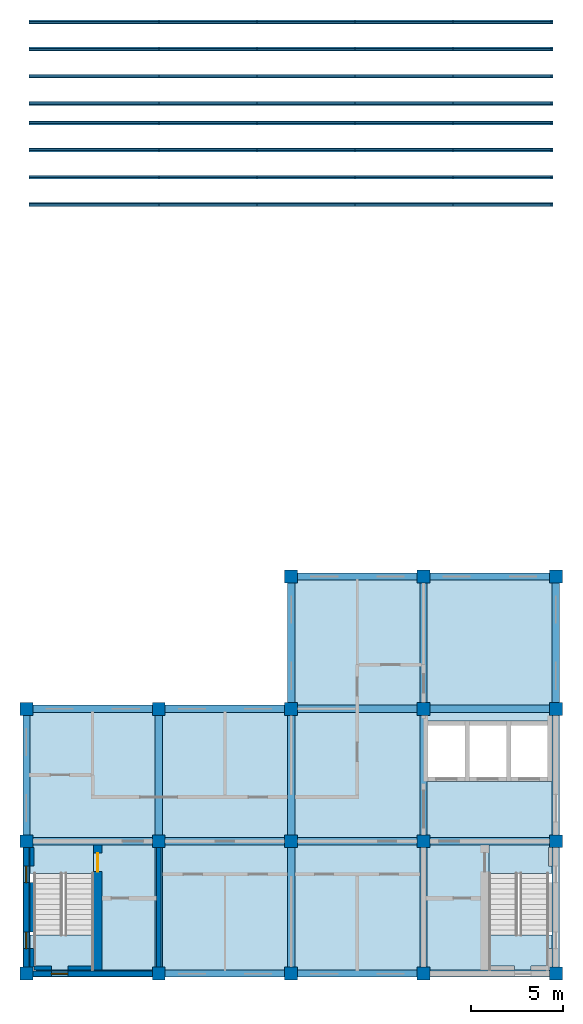
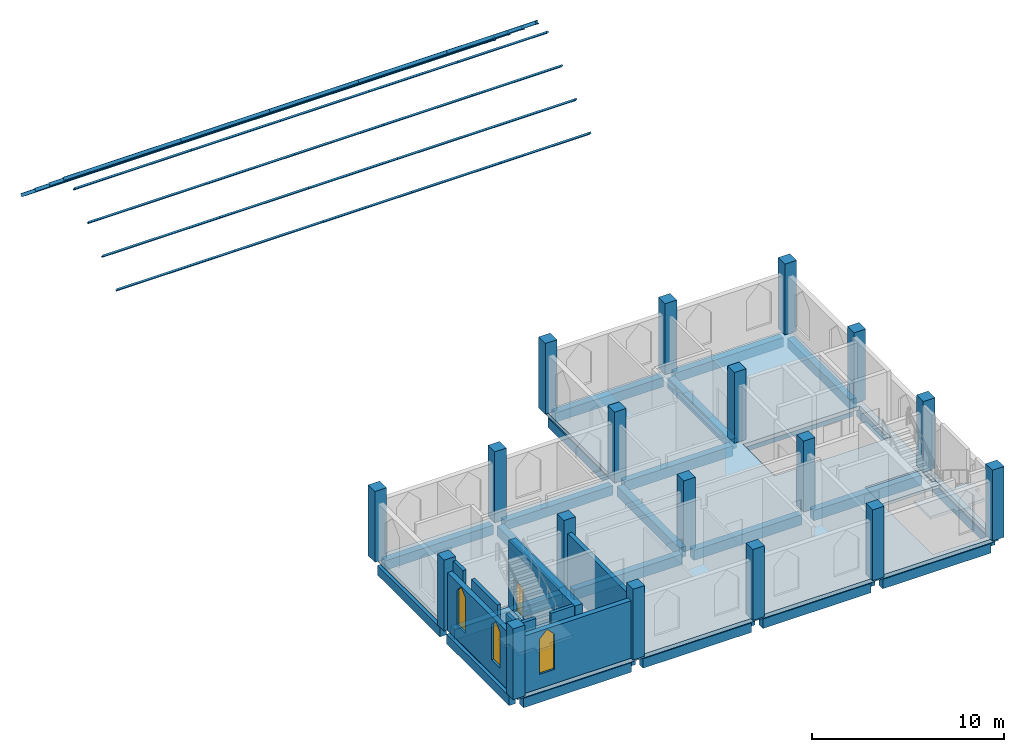
# One storey, part 1 of 5: 48 members, 27 beams, 18 columns, 9 walls, 5 slabs, 3 windows, 1 door, 4 openings, 2 elements without a shape of their own.
"""IFC4 building model written with IfcOpenShell, lengths in metres."""

from ifc_helpers import new_model, si_unit, direction, frame, frame_2d, origin, origin_2d, place, context, subcontext, project, spatial, polyline, rectangle, i_section, outline, extrude, material, layer, layer_set, material_profile, profile_set, type_object, element, fill, aggregate, save


model = new_model("IFC4")

# Units and contexts
model_context = context("Model", 3, precision=1e-05, world=origin(), true_north=direction((0.0, 1.0)))
body_context = subcontext(model_context, "Body", "Model", "MODEL_VIEW")
ifc_project = project(units=[si_unit("LENGTHUNIT", "METRE"), si_unit("AREAUNIT", "SQUARE_METRE"), si_unit("VOLUMEUNIT", "CUBIC_METRE"), si_unit("PLANEANGLEUNIT", "RADIAN"), si_unit("MASSUNIT", "GRAM", prefix="KILO")], contexts=[model_context])

# Site, building, storey
site_placement = place(None, origin())
site = spatial("IfcSite", under=ifc_project, at=site_placement, CompositionType="ELEMENT")
building_placement = place(site_placement, origin())
building = spatial("IfcBuilding", under=site, at=building_placement, Name="Silangan Lancet Faculty of Sciences", CompositionType="ELEMENT")
storey_placement = place(building_placement, frame((0.0, 0.0, 63.300048828125)))
storey = spatial("IfcBuildingStorey", under=building, at=storey_placement, Name="L13", CompositionType="ELEMENT", Elevation=63.300048828125)

# Columns
ifc_material_1 = material(Name="Concrete C40/50", Category="concrete")
ifc_material_profile_1 = material_profile(ifc_material_1, rectangle(XDim=0.699951171875, YDim=0.699951171875, at=origin_2d()), Name="RC 700x700")
ifc_profile_set_1 = profile_set([ifc_material_profile_1], Name="Concrete C40/50")
column_type = type_object("IfcColumnType", Name="COLUMN RC 700x700", PredefinedType="COLUMN", material=ifc_profile_set_1)
for number, where, z_axis, x_axis, name in (
    (1, (0.0, 0.0, 0.0), (0.0, 0.0, 1.0), (1.0, 0.0, 0.0), "COL-L13-1A"),
    (2, (0.0, 7.199951171875, 0.0), (0.0, 0.0, 1.0), (1.0, 0.0, 0.0), "COL-L13-1B"),
    (3, (0.0, 14.39990234375, 0.0), (0.0, 0.0, 1.0), (1.0, 0.0, 0.0), "COL-L13-1C"),
    (4, (7.199951171875, 0.0, 0.0), (0.0, 0.0, 1.0), (1.0, 0.0, 0.0), "COL-L13-2A"),
    (5, (7.199951171875, 7.199951171875, 0.0), (0.0, 0.0, 1.0), (1.0, 0.0, 0.0), "COL-L13-2B"),
    (6, (7.199951171875, 14.39990234375, 0.0), (0.0, 0.0, 1.0), (1.0, 0.0, 0.0), "COL-L13-2C"),
    (7, (14.39990234375, 0.0, 0.0), (0.0, 0.0, 1.0), (1.0, 0.0, 0.0), "COL-L13-3A"),
    (8, (14.39990234375, 7.199951171875, 0.0), (0.0, 0.0, 1.0), (1.0, 0.0, 0.0), "COL-L13-3B"),
    (9, (14.39990234375, 14.39990234375, 0.0), (0.0, 0.0, 1.0), (1.0, 0.0, 0.0), "COL-L13-3C"),
    (10, (14.39990234375, 21.60009765625, 0.0), (0.0, 0.0, 1.0), (1.0, 0.0, 0.0), "COL-L13-3D"),
    (11, (21.60009765625, 0.0, 0.0), (0.0, 0.0, 1.0), (1.0, 0.0, 0.0), "COL-L13-4A"),
    (12, (21.60009765625, 7.199951171875, 0.0), (0.0, 0.0, 1.0), (1.0, 0.0, 0.0), "COL-L13-4B"),
    (13, (21.60009765625, 14.39990234375, 0.0), (0.0, 0.0, 1.0), (1.0, 0.0, 0.0), "COL-L13-4C"),
    (14, (21.60009765625, 21.60009765625, 0.0), (0.0, 0.0, 1.0), (1.0, 0.0, 0.0), "COL-L13-4D"),
    (15, (28.800048828125, 0.0, 0.0), (0.0, 0.0, 1.0), (1.0, 0.0, 0.0), "COL-L13-5A"),
    (16, (28.800048828125, 7.199951171875, 0.0), (0.0, 0.0, 1.0), (1.0, 0.0, 0.0), "COL-L13-5B"),
    (17, (28.800048828125, 14.39990234375, 0.0), (0.0, 0.0, 1.0), (1.0, 0.0, 0.0), "COL-L13-5C"),
    (18, (28.800048828125, 21.60009765625, 0.0), (0.0, 0.0, 1.0), (1.0, 0.0, 0.0), "COL-L13-5D"),
):
    element("IfcColumn", number, at=place(storey_placement, frame(where, z_axis=z_axis, x_axis=x_axis)), inside=storey, type_object=column_type, Name=name, PredefinedType="COLUMN", context=body_context, shape_type="SweptSolid", body=[
        extrude(rectangle(XDim=0.699951171875, YDim=0.699951171875, at=origin_2d()), origin(), (0.0, 0.0, 1.0), 4.5),
    ])

# Beams
ifc_material_2 = material(Name="Concrete C40/50", Category="concrete")
ifc_material_profile_2 = material_profile(ifc_material_2, rectangle(XDim=0.39990234375, YDim=0.60009765625, at=origin_2d()), Name="RC 400x600")
ifc_profile_set_2 = profile_set([ifc_material_profile_2], Name="Concrete C40/50")
beam_type_1 = type_object("IfcBeamType", Name="BEAM RC 400x600", PredefinedType="BEAM", material=ifc_profile_set_2)
for number, where, z_axis, x_axis, name in (
    (19, (0.35009765625, 0.0, -0.550048828125), (1.0, 0.0, 0.0), (0.0, 1.0, 0.0), "BM-L13-1A-2A"),
    (20, (7.550048828125, 0.0, -0.550048828125), (1.0, 0.0, 0.0), (0.0, 1.0, 0.0), "BM-L13-2A-3A"),
    (21, (14.75, 0.0, -0.550048828125), (1.0, 0.0, 0.0), (0.0, 1.0, 0.0), "BM-L13-3A-4A"),
    (22, (21.949951171875, 0.0, -0.550048828125), (1.0, 0.0, 0.0), (0.0, 1.0, 0.0), "BM-L13-4A-5A"),
    (23, (0.35009765625, 14.39990234375, -0.550048828125), (1.0, 0.0, 0.0), (0.0, 1.0, 0.0), "BM-L13-1C-2C"),
    (24, (7.550048828125, 14.39990234375, -0.550048828125), (1.0, 0.0, 0.0), (0.0, 1.0, 0.0), "BM-L13-2C-3C"),
    (25, (14.75, 21.60009765625, -0.550048828125), (1.0, 0.0, 0.0), (0.0, 1.0, 0.0), "BM-L13-3D-4D"),
    (26, (21.949951171875, 21.60009765625, -0.550048828125), (1.0, 0.0, 0.0), (0.0, 1.0, 0.0), "BM-L13-4D-5D"),
    (27, (0.0, 0.35009765625, -0.550048828125), (0.0, 1.0, 0.0), (-1.0, 0.0, 0.0), "BM-L13-1A-1B"),
    (28, (0.0, 7.550048828125, -0.550048828125), (0.0, 1.0, 0.0), (-1.0, 0.0, 0.0), "BM-L13-1B-1C"),
    (29, (14.39990234375, 14.75, -0.550048828125), (0.0, 1.0, 0.0), (-1.0, 0.0, 0.0), "BM-L13-3C-3D"),
    (30, (28.800048828125, 0.35009765625, -0.550048828125), (0.0, 1.0, 0.0), (-1.0, 0.0, 0.0), "BM-L13-5A-5B"),
    (31, (28.800048828125, 7.550048828125, -0.550048828125), (0.0, 1.0, 0.0), (-1.0, 0.0, 0.0), "BM-L13-5B-5C"),
    (32, (28.800048828125, 14.75, -0.550048828125), (0.0, 1.0, 0.0), (-1.0, 0.0, 0.0), "BM-L13-5C-5D"),
):
    element("IfcBeam", number, at=place(storey_placement, frame(where, z_axis=z_axis, x_axis=x_axis)), inside=storey, type_object=beam_type_1, Name=name, PredefinedType="BEAM", context=body_context, shape_type="SweptSolid", body=[
        extrude(rectangle(XDim=0.39990234375, YDim=0.60009765625, at=origin_2d()), origin(), (0.0, 0.0, 1.0), 6.5),
    ])
ifc_material_3 = material(Name="Concrete C40/50", Category="concrete")
ifc_material_profile_3 = material_profile(ifc_material_3, rectangle(XDim=0.39990234375, YDim=0.64990234375, at=origin_2d()), Name="RC 400x650")
ifc_profile_set_3 = profile_set([ifc_material_profile_3], Name="Concrete C40/50")
beam_type_2 = type_object("IfcBeamType", Name="BEAM RC 400x650", PredefinedType="BEAM", material=ifc_profile_set_3)
for number, where, z_axis, x_axis, name in (
    (33, (0.35009765625, 7.199951171875, -0.574951171875), (1.0, 0.0, 0.0), (0.0, 1.0, 0.0), "BM-L13-1B-2B"),
    (34, (7.550048828125, 7.199951171875, -0.574951171875), (1.0, 0.0, 0.0), (0.0, 1.0, 0.0), "BM-L13-2B-3B"),
    (35, (14.75, 7.199951171875, -0.574951171875), (1.0, 0.0, 0.0), (0.0, 1.0, 0.0), "BM-L13-3B-4B"),
    (36, (21.949951171875, 7.199951171875, -0.574951171875), (1.0, 0.0, 0.0), (0.0, 1.0, 0.0), "BM-L13-4B-5B"),
    (37, (14.75, 14.39990234375, -0.574951171875), (1.0, 0.0, 0.0), (0.0, 1.0, 0.0), "BM-L13-3C-4C"),
    (38, (21.949951171875, 14.39990234375, -0.574951171875), (1.0, 0.0, 0.0), (0.0, 1.0, 0.0), "BM-L13-4C-5C"),
    (39, (7.199951171875, 0.35009765625, -0.574951171875), (0.0, 1.0, 0.0), (-1.0, 0.0, 0.0), "BM-L13-2A-2B"),
    (40, (7.199951171875, 7.550048828125, -0.574951171875), (0.0, 1.0, 0.0), (-1.0, 0.0, 0.0), "BM-L13-2B-2C"),
    (41, (14.39990234375, 0.35009765625, -0.574951171875), (0.0, 1.0, 0.0), (-1.0, 0.0, 0.0), "BM-L13-3A-3B"),
    (42, (14.39990234375, 7.550048828125, -0.574951171875), (0.0, 1.0, 0.0), (-1.0, 0.0, 0.0), "BM-L13-3B-3C"),
    (43, (21.60009765625, 0.35009765625, -0.574951171875), (0.0, 1.0, 0.0), (-1.0, 0.0, 0.0), "BM-L13-4A-4B"),
    (44, (21.60009765625, 7.550048828125, -0.574951171875), (0.0, 1.0, 0.0), (-1.0, 0.0, 0.0), "BM-L13-4B-4C"),
    (45, (21.60009765625, 14.75, -0.574951171875), (0.0, 1.0, 0.0), (-1.0, 0.0, 0.0), "BM-L13-4C-4D"),
):
    element("IfcBeam", number, at=place(storey_placement, frame(where, z_axis=z_axis, x_axis=x_axis)), inside=storey, type_object=beam_type_2, Name=name, PredefinedType="BEAM", context=body_context, shape_type="SweptSolid", body=[
        extrude(rectangle(XDim=0.39990234375, YDim=0.64990234375, at=origin_2d()), origin(), (0.0, 0.0, 1.0), 6.5),
    ])

# Members
ifc_material_4 = material(Name="Steel SS400", Category="steel")
ifc_material_profile_4 = material_profile(ifc_material_4, i_section(OverallWidth=0.10009765625, OverallDepth=0.199951171875, WebThickness=0.005615234375, FlangeThickness=0.008056640625, FilletRadius=0.008056640625, at=origin_2d()), Name="H 200x100x5.5x8")
ifc_profile_set_4 = profile_set([ifc_material_profile_4], Name="Steel SS400")
member_type = type_object("IfcMemberType", Name="Sheeting purlin H 200x100x5.5x8", PredefinedType="PURLIN", material=ifc_profile_set_4)
for number, where, z_axis, x_axis, name in (
    (46, (0.14990234375, 41.834716796875, 0.283935546875), (1.0, 0.0, 0.0), (0.0, 0.765704867842, 0.64319208279), "Gable purlin 1S6"),
    (47, (0.14990234375, 43.31396484375, 1.526611328125), (1.0, 0.0, 0.0), (0.0, 0.765704867842, 0.64319208279), "Gable purlin 1S7"),
    (48, (0.14990234375, 44.793212890625, 2.769287109375), (1.0, 0.0, 0.0), (0.0, 0.765704867842, 0.64319208279), "Gable purlin 1S8"),
    (49, (0.14990234375, 46.2724609375, 4.011962890625), (1.0, 0.0, 0.0), (0.0, 0.765704867842, 0.64319208279), "Gable purlin 1S9"),
    (50, (0.14990234375, 51.765380859375, 0.283935546875), (1.0, 0.0, 0.0), (0.0, 0.765704867842, -0.64319208279), "Gable purlin 1N6"),
    (51, (0.14990234375, 50.2861328125, 1.526611328125), (1.0, 0.0, 0.0), (0.0, 0.765704867842, -0.64319208279), "Gable purlin 1N7"),
    (52, (0.14990234375, 48.806884765625, 2.769287109375), (1.0, 0.0, 0.0), (0.0, 0.765704867842, -0.64319208279), "Gable purlin 1N8"),
    (53, (0.14990234375, 47.32763671875, 4.011962890625), (1.0, 0.0, 0.0), (0.0, 0.765704867842, -0.64319208279), "Gable purlin 1N9"),
):
    element("IfcMember", number, at=place(storey_placement, frame(where, z_axis=z_axis, x_axis=x_axis)), inside=storey, type_object=member_type, Name=name, PredefinedType="PURLIN", context=body_context, shape_type="SweptSolid", body=[
        extrude(i_section(OverallWidth=0.10009765625, OverallDepth=0.199951171875, WebThickness=0.005615234375, FlangeThickness=0.008056640625, FilletRadius=0.008056640625, at=origin_2d()), origin(), (0.0, 0.0, 1.0), 7.050048828125),
    ])
for number, where, z_axis, x_axis, name in (
    (54, (7.199951171875, 41.834716796875, 0.283935546875), (1.0, 0.0, 0.0), (0.0, 0.765704867842, 0.64319208279), "Gable purlin 2S6"),
    (55, (7.199951171875, 43.31396484375, 1.526611328125), (1.0, 0.0, 0.0), (0.0, 0.765704867842, 0.64319208279), "Gable purlin 2S7"),
    (56, (7.199951171875, 44.793212890625, 2.769287109375), (1.0, 0.0, 0.0), (0.0, 0.765704867842, 0.64319208279), "Gable purlin 2S8"),
    (57, (7.199951171875, 46.2724609375, 4.011962890625), (1.0, 0.0, 0.0), (0.0, 0.765704867842, 0.64319208279), "Gable purlin 2S9"),
    (58, (7.199951171875, 51.765380859375, 0.283935546875), (1.0, 0.0, 0.0), (0.0, 0.765704867842, -0.64319208279), "Gable purlin 2N6"),
    (59, (7.199951171875, 50.2861328125, 1.526611328125), (1.0, 0.0, 0.0), (0.0, 0.765704867842, -0.64319208279), "Gable purlin 2N7"),
    (60, (7.199951171875, 48.806884765625, 2.769287109375), (1.0, 0.0, 0.0), (0.0, 0.765704867842, -0.64319208279), "Gable purlin 2N8"),
    (61, (7.199951171875, 47.32763671875, 4.011962890625), (1.0, 0.0, 0.0), (0.0, 0.765704867842, -0.64319208279), "Gable purlin 2N9"),
    (62, (12.53125, 41.834716796875, 0.283935546875), (1.0, 0.0, 0.0), (0.0, 0.765704867842, 0.64319208279), "Gable purlin 3S6"),
    (63, (12.53125, 43.31396484375, 1.526611328125), (1.0, 0.0, 0.0), (0.0, 0.765704867842, 0.64319208279), "Gable purlin 3S7"),
    (64, (12.53125, 44.793212890625, 2.769287109375), (1.0, 0.0, 0.0), (0.0, 0.765704867842, 0.64319208279), "Gable purlin 3S8"),
    (65, (12.53125, 46.2724609375, 4.011962890625), (1.0, 0.0, 0.0), (0.0, 0.765704867842, 0.64319208279), "Gable purlin 3S9"),
    (66, (12.53125, 51.765380859375, 0.283935546875), (1.0, 0.0, 0.0), (0.0, 0.765704867842, -0.64319208279), "Gable purlin 3N6"),
    (67, (12.53125, 50.2861328125, 1.526611328125), (1.0, 0.0, 0.0), (0.0, 0.765704867842, -0.64319208279), "Gable purlin 3N7"),
    (68, (12.53125, 48.806884765625, 2.769287109375), (1.0, 0.0, 0.0), (0.0, 0.765704867842, -0.64319208279), "Gable purlin 3N8"),
    (69, (12.53125, 47.32763671875, 4.011962890625), (1.0, 0.0, 0.0), (0.0, 0.765704867842, -0.64319208279), "Gable purlin 3N9"),
    (70, (17.862548828125, 41.834716796875, 0.283935546875), (1.0, 0.0, 0.0), (0.0, 0.765704867842, 0.64319208279), "Gable purlin 4S6"),
    (71, (17.862548828125, 43.31396484375, 1.526611328125), (1.0, 0.0, 0.0), (0.0, 0.765704867842, 0.64319208279), "Gable purlin 4S7"),
    (72, (17.862548828125, 44.793212890625, 2.769287109375), (1.0, 0.0, 0.0), (0.0, 0.765704867842, 0.64319208279), "Gable purlin 4S8"),
    (73, (17.862548828125, 46.2724609375, 4.011962890625), (1.0, 0.0, 0.0), (0.0, 0.765704867842, 0.64319208279), "Gable purlin 4S9"),
    (74, (17.862548828125, 51.765380859375, 0.283935546875), (1.0, 0.0, 0.0), (0.0, 0.765704867842, -0.64319208279), "Gable purlin 4N6"),
    (75, (17.862548828125, 50.2861328125, 1.526611328125), (1.0, 0.0, 0.0), (0.0, 0.765704867842, -0.64319208279), "Gable purlin 4N7"),
    (76, (17.862548828125, 48.806884765625, 2.769287109375), (1.0, 0.0, 0.0), (0.0, 0.765704867842, -0.64319208279), "Gable purlin 4N8"),
    (77, (17.862548828125, 47.32763671875, 4.011962890625), (1.0, 0.0, 0.0), (0.0, 0.765704867842, -0.64319208279), "Gable purlin 4N9"),
):
    element("IfcMember", number, at=place(storey_placement, frame(where, z_axis=z_axis, x_axis=x_axis)), inside=storey, type_object=member_type, Name=name, PredefinedType="PURLIN", context=body_context, shape_type="SweptSolid", body=[
        extrude(i_section(OverallWidth=0.10009765625, OverallDepth=0.199951171875, WebThickness=0.005615234375, FlangeThickness=0.008056640625, FilletRadius=0.008056640625, at=origin_2d()), origin(), (0.0, 0.0, 1.0), 5.331298828125),
    ])
for number, where, z_axis, x_axis, name in (
    (78, (23.19384765625, 41.834716796875, 0.283935546875), (1.0, 0.0, 0.0), (0.0, 0.765704867842, 0.64319208279), "Gable purlin 5S6"),
    (79, (23.19384765625, 43.31396484375, 1.526611328125), (1.0, 0.0, 0.0), (0.0, 0.765704867842, 0.64319208279), "Gable purlin 5S7"),
    (80, (23.19384765625, 44.793212890625, 2.769287109375), (1.0, 0.0, 0.0), (0.0, 0.765704867842, 0.64319208279), "Gable purlin 5S8"),
    (81, (23.19384765625, 46.2724609375, 4.011962890625), (1.0, 0.0, 0.0), (0.0, 0.765704867842, 0.64319208279), "Gable purlin 5S9"),
    (82, (23.19384765625, 51.765380859375, 0.283935546875), (1.0, 0.0, 0.0), (0.0, 0.765704867842, -0.64319208279), "Gable purlin 5N6"),
    (83, (23.19384765625, 50.2861328125, 1.526611328125), (1.0, 0.0, 0.0), (0.0, 0.765704867842, -0.64319208279), "Gable purlin 5N7"),
    (84, (23.19384765625, 48.806884765625, 2.769287109375), (1.0, 0.0, 0.0), (0.0, 0.765704867842, -0.64319208279), "Gable purlin 5N8"),
    (85, (23.19384765625, 47.32763671875, 4.011962890625), (1.0, 0.0, 0.0), (0.0, 0.765704867842, -0.64319208279), "Gable purlin 5N9"),
):
    element("IfcMember", number, at=place(storey_placement, frame(where, z_axis=z_axis, x_axis=x_axis)), inside=storey, type_object=member_type, Name=name, PredefinedType="PURLIN", context=body_context, shape_type="SweptSolid", body=[
        extrude(i_section(OverallWidth=0.10009765625, OverallDepth=0.199951171875, WebThickness=0.005615234375, FlangeThickness=0.008056640625, FilletRadius=0.008056640625, at=origin_2d()), origin(), (0.0, 0.0, 1.0), 5.3310546875),
    ])
for number, where, z_axis, x_axis, name in (
    (86, (28.52490234375, 41.834716796875, 0.283935546875), (1.0, 0.0, 0.0), (0.0, 0.765704867842, 0.64319208279), "Gable purlin 6S6"),
    (87, (28.52490234375, 43.31396484375, 1.526611328125), (1.0, 0.0, 0.0), (0.0, 0.765704867842, 0.64319208279), "Gable purlin 6S7"),
    (88, (28.52490234375, 44.793212890625, 2.769287109375), (1.0, 0.0, 0.0), (0.0, 0.765704867842, 0.64319208279), "Gable purlin 6S8"),
    (89, (28.52490234375, 46.2724609375, 4.011962890625), (1.0, 0.0, 0.0), (0.0, 0.765704867842, 0.64319208279), "Gable purlin 6S9"),
    (90, (28.52490234375, 51.765380859375, 0.283935546875), (1.0, 0.0, 0.0), (0.0, 0.765704867842, -0.64319208279), "Gable purlin 6N6"),
    (91, (28.52490234375, 50.2861328125, 1.526611328125), (1.0, 0.0, 0.0), (0.0, 0.765704867842, -0.64319208279), "Gable purlin 6N7"),
    (92, (28.52490234375, 48.806884765625, 2.769287109375), (1.0, 0.0, 0.0), (0.0, 0.765704867842, -0.64319208279), "Gable purlin 6N8"),
    (93, (28.52490234375, 47.32763671875, 4.011962890625), (1.0, 0.0, 0.0), (0.0, 0.765704867842, -0.64319208279), "Gable purlin 6N9"),
):
    element("IfcMember", number, at=place(storey_placement, frame(where, z_axis=z_axis, x_axis=x_axis)), inside=storey, type_object=member_type, Name=name, PredefinedType="PURLIN", context=body_context, shape_type="SweptSolid", body=[
        extrude(i_section(OverallWidth=0.10009765625, OverallDepth=0.199951171875, WebThickness=0.005615234375, FlangeThickness=0.008056640625, FilletRadius=0.008056640625, at=origin_2d()), origin(), (0.0, 0.0, 1.0), 0.125),
    ])

# Slab
ifc_material_5 = material(Name="Concrete C35/45", Category="concrete")
ifc_layer_1 = layer(ifc_material_5, 0.25)
ifc_layer_set_1 = layer_set([ifc_layer_1], Name="Concrete C35/45")
slab_type_1 = type_object("IfcSlabType", Name="SLAB FLOOR 250", PredefinedType="FLOOR", material=ifc_layer_set_1)
slab_1_placement = place(storey_placement, frame((0.0, 0.0, -0.25)))
element("IfcSlab", 94, at=slab_1_placement, inside=storey, type_object=slab_type_1, Name="SLAB-L13-ST", PredefinedType="FLOOR", context=body_context, shape_type="SweptSolid", body=[
    extrude(outline(polyline([(0.0, 14.550048828125), (0.0, -0.14990234375), (28.949951171875, -0.14990234375), (28.949951171875, 21.60009765625), (14.25, 21.60009765625), (14.25, 14.550048828125), (0.0, 14.550048828125)]), holes=[polyline([(0.14990234375, 0.14990234375), (0.14990234375, 7.199951171875), (3.64990234375, 7.199951171875), (3.64990234375, 0.14990234375), (0.14990234375, 0.14990234375)]), polyline([(25.14990234375, 7.199951171875), (28.64990234375, 7.199951171875), (28.64990234375, 0.14990234375), (25.14990234375, 0.14990234375), (25.14990234375, 7.199951171875)]), polyline([(21.60009765625, 13.75), (28.60009765625, 13.75), (28.60009765625, 10.449951171875), (21.60009765625, 10.449951171875), (21.60009765625, 13.75)])]), origin(), (0.0, 0.0, 1.0), 0.25),
])

# Stair, slabs
ifc_material_6 = material(Name="Concrete C40/50", Category="concrete")
stair_type = type_object("IfcStairType", Name="TURRET STAIR 1550 TWO-FLIGHT", PredefinedType="HALF_TURN_STAIR", material=ifc_material_6)
stair_1_placement = place(storey_placement, origin())
stair_1 = element("IfcStair", 95, at=stair_1_placement, inside=storey, type_object=stair_type, Name="ST-A stair L13", PredefinedType="HALF_TURN_STAIR")
ifc_material_7 = material(Name="Concrete C40/50", Category="concrete")
ifc_layer_2 = layer(ifc_material_7, 0.179931640625)
ifc_layer_set_2 = layer_set([ifc_layer_2], Name="Concrete C40/50")
slab_type_2 = type_object("IfcSlabType", Name="TURRET STAIR LANDING RC 180", PredefinedType="LANDING", material=ifc_layer_set_2)
slab_2_placement = place(storey_placement, frame((0.0, 0.0, -0.179931640625)))
slab_2 = element("IfcSlab", 96, at=slab_2_placement, type_object=slab_type_2, Name="STR1 landing 1", PredefinedType="LANDING", context=body_context, shape_type="SweptSolid", body=[
    extrude(outline(polyline([(0.35009765625, 6.85009765625), (0.35009765625, 7.074951171875), (3.64990234375, 7.074951171875), (3.64990234375, 5.449951171875), (0.14990234375, 5.449951171875), (0.14990234375, 5.85009765625), (0.39990234375, 5.85009765625), (0.39990234375, 6.85009765625), (0.35009765625, 6.85009765625)])), origin(), (0.0, 0.0, 1.0), 0.179931640625),
])
slab_3_placement = place(storey_placement, frame((0.0, 0.0, 2.070068359375)))
slab_3 = element("IfcSlab", 97, at=slab_3_placement, type_object=slab_type_2, Name="STR1 landing 2", PredefinedType="LANDING", context=body_context, shape_type="SweptSolid", body=[
    extrude(outline(polyline([(1.35009765625, 0.14990234375), (1.35009765625, 0.39990234375), (0.39990234375, 0.39990234375), (0.39990234375, 1.35009765625), (0.14990234375, 1.35009765625), (0.14990234375, 2.090087890625), (3.64990234375, 2.090087890625), (3.64990234375, 0.39990234375), (2.25, 0.39990234375), (2.25, 0.14990234375), (1.35009765625, 0.14990234375)])), origin(), (0.0, 0.0, 1.0), 0.179931640625),
])
aggregate(stair_1, [slab_2, slab_3])

stair_2_placement = place(storey_placement, origin())
stair_2 = element("IfcStair", 98, at=stair_2_placement, inside=storey, type_object=stair_type, Name="ST-B stair L13", PredefinedType="HALF_TURN_STAIR")
slab_4_placement = place(storey_placement, frame((0.0, 0.0, -0.179931640625)))
slab_4 = element("IfcSlab", 99, at=slab_4_placement, type_object=slab_type_2, Name="STR2 landing 1", PredefinedType="LANDING", context=body_context, shape_type="SweptSolid", body=[
    extrude(outline(polyline([(28.39990234375, 6.85009765625), (28.39990234375, 5.85009765625), (28.64990234375, 5.85009765625), (28.64990234375, 5.449951171875), (25.14990234375, 5.449951171875), (25.14990234375, 7.074951171875), (28.449951171875, 7.074951171875), (28.449951171875, 6.85009765625), (28.39990234375, 6.85009765625)])), origin(), (0.0, 0.0, 1.0), 0.179931640625),
])
slab_5_placement = place(storey_placement, frame((0.0, 0.0, 2.070068359375)))
slab_5 = element("IfcSlab", 100, at=slab_5_placement, type_object=slab_type_2, Name="STR2 landing 2", PredefinedType="LANDING", context=body_context, shape_type="SweptSolid", body=[
    extrude(outline(polyline([(26.550048828125, 0.14990234375), (26.550048828125, 0.39990234375), (25.14990234375, 0.39990234375), (25.14990234375, 2.090087890625), (28.64990234375, 2.090087890625), (28.64990234375, 1.35009765625), (28.39990234375, 1.35009765625), (28.39990234375, 0.39990234375), (27.449951171875, 0.39990234375), (27.449951171875, 0.14990234375), (26.550048828125, 0.14990234375)])), origin(), (0.0, 0.0, 1.0), 0.179931640625),
])
aggregate(stair_2, [slab_4, slab_5])

# Wall, openings, windows
ifc_material_8 = material(Name="Concrete C40/50 precast", Category="concrete")
ifc_layer_3 = layer(ifc_material_8, 0.300048828125)
ifc_layer_set_3 = layer_set([ifc_layer_3], Name="Concrete C40/50 precast")
wall_type_1 = type_object("IfcWallType", Name="EW2 Turret enclosure wall", PredefinedType="STANDARD", material=ifc_layer_set_3)
wall_1_placement = place(storey_placement, frame((0.0, 0.35009765625, 0.0), z_axis=(0.0, 0.0, 1.0), x_axis=(0.0, 1.0, 0.0)))
wall_1 = element("IfcWall", 101, at=wall_1_placement, inside=storey, type_object=wall_type_1, Name="EW-L13-W-ST-U-00", PredefinedType="STANDARD", context=body_context, shape_type="SweptSolid", body=[
    extrude(rectangle(XDim=6.5, YDim=0.300048828125, at=frame_2d((3.25, 0.0))), origin(), (0.0, 0.0, 1.0), 3.64990234375),
])
opening_1_placement = place(wall_1_placement, frame((1.0, 0.0, 0.89990234375)))
opening_1 = element("IfcOpeningElement", 102, at=opening_1_placement, cuts=wall_1, Name="Opening W22", PredefinedType="OPENING", context=body_context, shape_type="SweptSolid", body=[
    extrude(outline(polyline([(0.0, 0.0), (0.89990234375, 0.0), (0.89990234375, 2.25), (0.449951171875, 2.699951171875), (0.0, 2.25), (0.0, 0.0)])), frame((0.0, 0.159912109375, 0.0), z_axis=(0.0, -1.0, 0.0), x_axis=(1.0, 0.0, 0.0)), (0.0, 0.0, 1.0), 0.320068359375),
])
opening_2_placement = place(wall_1_placement, frame((4.60009765625, 0.0, 0.89990234375)))
opening_2 = element("IfcOpeningElement", 103, at=opening_2_placement, cuts=wall_1, Name="Opening W22", PredefinedType="OPENING", context=body_context, shape_type="SweptSolid", body=[
    extrude(outline(polyline([(0.0, 0.0), (0.89990234375, 0.0), (0.89990234375, 2.25), (0.449951171875, 2.699951171875), (0.0, 2.25), (0.0, 0.0)])), frame((0.0, 0.159912109375, 0.0), z_axis=(0.0, -1.0, 0.0), x_axis=(1.0, 0.0, 0.0)), (0.0, 0.0, 1.0), 0.320068359375),
])
ifc_material_9 = material(Name="Aluminium frame, laminated double glazing", Category="aluminium")
window_type = type_object("IfcWindowType", Name="W22 Lancet window 900 x 2700", PartitioningType="SINGLE_PANEL", PredefinedType="WINDOW", material=ifc_material_9)
window_1_placement = place(opening_1_placement, origin())
window_1 = element("IfcWindow", 104, at=window_1_placement, inside=storey, type_object=window_type, Name="WIN-L13-W-ST-U-00a", OverallHeight=2.699951171875, OverallWidth=0.89990234375, PartitioningType="SINGLE_PANEL", PredefinedType="WINDOW", context=body_context, shape_type="SweptSolid", body=[
    extrude(outline(polyline([(0.0, 0.0), (0.89990234375, 0.0), (0.89990234375, 2.25), (0.449951171875, 2.699951171875), (0.0, 2.25), (0.0, 0.0)])), frame((0.0, 0.030029296875, 0.0), z_axis=(0.0, -1.0, 0.0), x_axis=(1.0, 0.0, 0.0)), (0.0, 0.0, 1.0), 0.06005859375),
])
fill(opening_1, window_1)
window_2_placement = place(opening_2_placement, origin())
window_2 = element("IfcWindow", 105, at=window_2_placement, inside=storey, type_object=window_type, Name="WIN-L13-W-ST-U-00b", OverallHeight=2.699951171875, OverallWidth=0.89990234375, PartitioningType="SINGLE_PANEL", PredefinedType="WINDOW", context=body_context, shape_type="SweptSolid", body=[
    extrude(outline(polyline([(0.0, 0.0), (0.89990234375, 0.0), (0.89990234375, 2.25), (0.449951171875, 2.699951171875), (0.0, 2.25), (0.0, 0.0)])), frame((0.0, 0.030029296875, 0.0), z_axis=(0.0, -1.0, 0.0), x_axis=(1.0, 0.0, 0.0)), (0.0, 0.0, 1.0), 0.06005859375),
])
fill(opening_2, window_2)

# Wall, opening, window
wall_2_placement = place(storey_placement, frame((0.35009765625, 0.0, 0.0), z_axis=(0.0, 0.0, 1.0), x_axis=(1.0, 0.0, 0.0)))
wall_2 = element("IfcWall", 106, at=wall_2_placement, inside=storey, type_object=wall_type_1, Name="EW-L13-S-ST-00", PredefinedType="STANDARD", context=body_context, shape_type="SweptSolid", body=[
    extrude(rectangle(XDim=6.5, YDim=0.300048828125, at=frame_2d((3.25, 0.0))), origin(), (0.0, 0.0, 1.0), 3.64990234375),
])
opening_3_placement = place(wall_2_placement, frame((1.0, 0.0, 0.89990234375)))
opening_3 = element("IfcOpeningElement", 107, at=opening_3_placement, cuts=wall_2, Name="Opening W22", PredefinedType="OPENING", context=body_context, shape_type="SweptSolid", body=[
    extrude(outline(polyline([(0.0, 0.0), (0.89990234375, 0.0), (0.89990234375, 2.25), (0.449951171875, 2.699951171875), (0.0, 2.25), (0.0, 0.0)])), frame((0.0, 0.159912109375, 0.0), z_axis=(0.0, -1.0, 0.0), x_axis=(1.0, 0.0, 0.0)), (0.0, 0.0, 1.0), 0.320068359375),
])
window_3_placement = place(opening_3_placement, origin())
window_3 = element("IfcWindow", 108, at=window_3_placement, inside=storey, type_object=window_type, Name="WIN-L13-S-ST-00a", OverallHeight=2.699951171875, OverallWidth=0.89990234375, PartitioningType="SINGLE_PANEL", PredefinedType="WINDOW", context=body_context, shape_type="SweptSolid", body=[
    extrude(outline(polyline([(0.0, 0.0), (0.89990234375, 0.0), (0.89990234375, 2.25), (0.449951171875, 2.699951171875), (0.0, 2.25), (0.0, 0.0)])), frame((0.0, 0.030029296875, 0.0), z_axis=(0.0, -1.0, 0.0), x_axis=(1.0, 0.0, 0.0)), (0.0, 0.0, 1.0), 0.06005859375),
])
fill(opening_3, window_3)

# Wall, opening, door
ifc_material_10 = material(Name="Concrete C40/50", Category="concrete")
ifc_layer_4 = layer(ifc_material_10, 0.449951171875)
ifc_layer_set_4 = layer_set([ifc_layer_4], Name="Concrete C40/50")
wall_type_2 = type_object("IfcWallType", Name="TURRET CORE WALL RC 450", PredefinedType="SHEAR", material=ifc_layer_set_4)
wall_3_placement = place(storey_placement, frame((3.875, 0.14990234375, 0.0), z_axis=(0.0, 0.0, 1.0), x_axis=(0.0, 1.0, 0.0)))
wall_3 = element("IfcWall", 109, at=wall_3_placement, inside=storey, type_object=wall_type_2, Name="WALL-L13-ST-A-WELL", PredefinedType="SHEAR", context=body_context, shape_type="SweptSolid", body=[
    extrude(rectangle(XDim=6.925048828125, YDim=0.449951171875, at=frame_2d((3.46240234375, 0.0))), origin(), (0.0, 0.0, 1.0), 4.25),
])
opening_4_placement = place(wall_3_placement, frame((5.39990234375, 0.0, 0.0)))
opening_4 = element("IfcOpeningElement", 110, at=opening_4_placement, cuts=wall_3, Name="Opening L13-701", PredefinedType="OPENING", context=body_context, shape_type="SweptSolid", body=[
    extrude(rectangle(XDim=1.0, YDim=2.10009765625, at=frame_2d((0.5, 1.050048828125))), frame((0.0, 0.23486328125, 0.0), z_axis=(0.0, -1.0, 0.0), x_axis=(1.0, 0.0, 0.0)), (0.0, 0.0, 1.0), 0.469970703125),
])
ifc_material_11 = material(Name="Steel fire door set", Category="steel")
door_type = type_object("IfcDoorType", Name="D71 Stair enclosure door 1000x2100", OperationType="SINGLE_SWING_LEFT", PredefinedType="DOOR", material=ifc_material_11)
door_placement = place(opening_4_placement, origin())
door = element("IfcDoor", 111, at=door_placement, inside=storey, type_object=door_type, Name="Stair enclosure door ST-A L13", OperationType="SINGLE_SWING_RIGHT", OverallHeight=2.10009765625, OverallWidth=1.0, PredefinedType="DOOR", context=body_context, shape_type="SweptSolid", body=[
    extrude(rectangle(XDim=1.0, YDim=2.10009765625, at=frame_2d((0.5, 1.050048828125))), frame((0.0, 0.02490234375, 0.0), z_axis=(0.0, -1.0, 0.0), x_axis=(1.0, 0.0, 0.0)), (0.0, 0.0, 1.0), 0.050048828125),
])
fill(opening_4, door)

# Walls
ifc_material_12 = material(Name="Concrete C40/50", Category="concrete")
ifc_layer_5 = layer(ifc_material_12, 0.199951171875)
ifc_layer_set_5 = layer_set([ifc_layer_5], Name="Concrete C40/50")
wall_type_3 = type_object("IfcWallType", Name="TURRET LINING WALL RC 200", PredefinedType="SHEAR", material=ifc_layer_set_5)
wall_4_placement = place(storey_placement, frame((0.300048828125, 0.35009765625, -0.25), z_axis=(0.0, 0.0, 1.0), x_axis=(0.0, 1.0, 0.0)))
element("IfcWall", 112, at=wall_4_placement, inside=storey, type_object=wall_type_3, Name="WALL-L13-ST-A-WL", PredefinedType="SHEAR", context=body_context, shape_type="SweptSolid", body=[
    extrude(rectangle(XDim=1.0, YDim=0.199951171875, at=frame_2d((0.5, 0.0))), origin(), (0.0, 0.0, 1.0), 4.5),
])
wall_5_placement = place(storey_placement, frame((0.300048828125, 2.25, -0.25), z_axis=(0.0, 0.0, 1.0), x_axis=(0.0, 1.0, 0.0)))
element("IfcWall", 113, at=wall_5_placement, inside=storey, type_object=wall_type_3, Name="WALL-L13-ST-A-WL-2", PredefinedType="SHEAR", context=body_context, shape_type="SweptSolid", body=[
    extrude(rectangle(XDim=2.699951171875, YDim=0.199951171875, at=frame_2d((1.35009765625, 0.0))), origin(), (0.0, 0.0, 1.0), 4.5),
])
wall_6_placement = place(storey_placement, frame((0.300048828125, 5.85009765625, -0.25), z_axis=(0.0, 0.0, 1.0), x_axis=(0.0, 1.0, 0.0)))
element("IfcWall", 114, at=wall_6_placement, inside=storey, type_object=wall_type_3, Name="WALL-L13-ST-A-WL-3", PredefinedType="SHEAR", context=body_context, shape_type="SweptSolid", body=[
    extrude(rectangle(XDim=1.0, YDim=0.199951171875, at=frame_2d((0.5, 0.0))), origin(), (0.0, 0.0, 1.0), 4.5),
])
wall_7_placement = place(storey_placement, frame((0.39990234375, 0.300048828125, -0.25), z_axis=(0.0, 0.0, 1.0), x_axis=(1.0, 0.0, 0.0)))
element("IfcWall", 115, at=wall_7_placement, inside=storey, type_object=wall_type_3, Name="WALL-L13-ST-A-WLD", PredefinedType="SHEAR", context=body_context, shape_type="SweptSolid", body=[
    extrude(rectangle(XDim=0.9501953125, YDim=0.199951171875, at=frame_2d((0.47509765625, 0.0))), origin(), (0.0, 0.0, 1.0), 4.5),
])
wall_8_placement = place(storey_placement, frame((2.25, 0.300048828125, -0.25), z_axis=(0.0, 0.0, 1.0), x_axis=(1.0, 0.0, 0.0)))
element("IfcWall", 116, at=wall_8_placement, inside=storey, type_object=wall_type_3, Name="WALL-L13-ST-A-WLD-2", PredefinedType="SHEAR", context=body_context, shape_type="SweptSolid", body=[
    extrude(rectangle(XDim=1.39990234375, YDim=0.199951171875, at=frame_2d((0.699951171875, 0.0))), origin(), (0.0, 0.0, 1.0), 4.5),
])
ifc_material_13 = material(Name="Concrete C40/50", Category="concrete")
ifc_layer_6 = layer(ifc_material_13, 0.25)
ifc_layer_set_6 = layer_set([ifc_layer_6], Name="Concrete C40/50")
wall_type_4 = type_object("IfcWallType", Name="TURRET WALL RC 250", PredefinedType="SHEAR", material=ifc_layer_set_6)
wall_9_placement = place(storey_placement, frame((7.199951171875, 0.35009765625, 0.0), z_axis=(0.0, 0.0, 1.0), x_axis=(0.0, 1.0, 0.0)))
element("IfcWall", 117, at=wall_9_placement, inside=storey, type_object=wall_type_4, Name="WALL-L13-ST-A-O", PredefinedType="SHEAR", context=body_context, shape_type="SweptSolid", body=[
    extrude(rectangle(XDim=6.5, YDim=0.25, at=frame_2d((3.25, 0.0))), origin(), (0.0, 0.0, 1.0), 3.599853515625),
])

save(model, "model.ifc")
